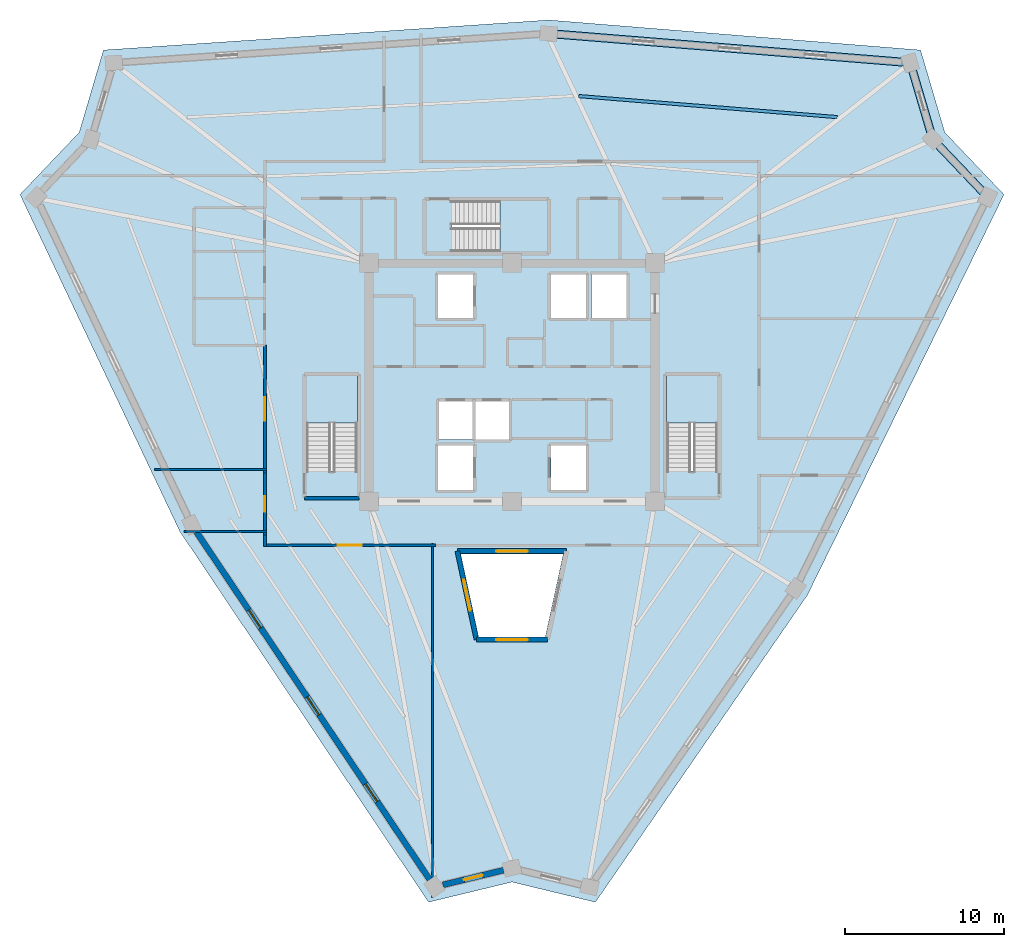
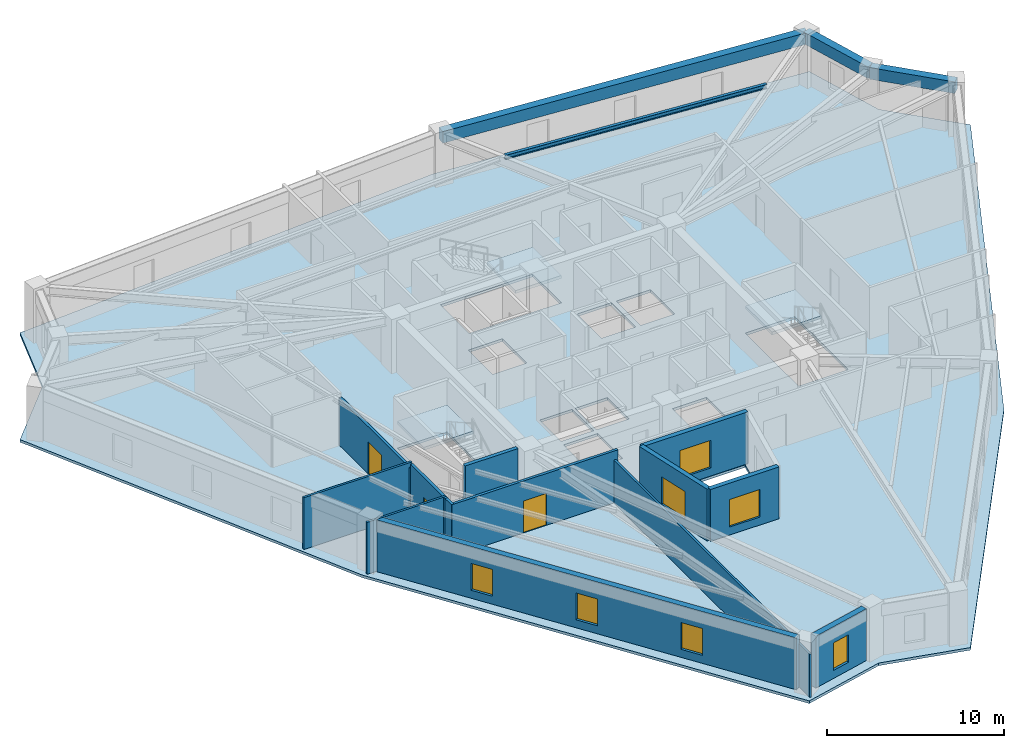
# One storey, part 2 of 8: 13 walls, 7 windows, 4 beams, 4 slabs, 3 doors, 10 openings, 3 elements without a shape of their own.
"""IFC4 building model written with IfcOpenShell, lengths in metres."""

from ifc_helpers import new_model, si_unit, direction, frame, frame_2d, origin, origin_2d, place, context, subcontext, project, spatial, polyline, rectangle, i_section, outline, extrude, source, transform, mapped, material, layer, layer_set, material_profile, profile_set, type_object, element, fill, aggregate, save


model = new_model("IFC4")

# Units and contexts
model_context = context("Model", 3, precision=1e-05, world=origin(), true_north=direction((0.0, 1.0)))
body_context = subcontext(model_context, "Body", "Model", "MODEL_VIEW")
ifc_project = project(units=[si_unit("LENGTHUNIT", "METRE"), si_unit("AREAUNIT", "SQUARE_METRE"), si_unit("VOLUMEUNIT", "CUBIC_METRE"), si_unit("PLANEANGLEUNIT", "RADIAN"), si_unit("MASSUNIT", "GRAM", prefix="KILO")], contexts=[model_context])

# Site, building, storey
site_placement = place(None, origin())
site = spatial("IfcSite", under=ifc_project, at=site_placement, CompositionType="ELEMENT")
building_placement = place(site_placement, origin())
building = spatial("IfcBuilding", under=site, at=building_placement, Name="Liaohun Quay Tower", CompositionType="ELEMENT")
storey_placement = place(building_placement, frame((0.0, 0.0, 316.5)))
storey = spatial("IfcBuildingStorey", under=building, at=storey_placement, Name="L82", CompositionType="ELEMENT", Elevation=316.5)

# Beams
ifc_material_1 = material(Name="Precast concrete C50", Category="concrete")
ifc_material_profile_1 = material_profile(ifc_material_1, rectangle(XDim=0.5, YDim=0.800048828125, at=origin_2d()), Name="RC500x800")
ifc_profile_set_1 = profile_set([ifc_material_profile_1], Name="Precast concrete C50")
beam_type_1 = type_object("IfcBeamType", Name="BM-SPD-Z4", PredefinedType="SPANDREL", material=ifc_profile_set_1)
shared_shape_1 = source(origin(), body_context, "Body", "SweptSolid", [
    extrude(rectangle(XDim=0.5, YDim=0.800048828125, at=origin_2d()), origin(), (0.0, 0.0, 1.0), 22.838134765625),
])
beam_1_placement = place(storey_placement, frame((62.30908203125, 75.9560546875, 3.169921875), z_axis=(0.996752326166, -0.080528257666, 0.0), x_axis=(0.080528257666, 0.996752326166, 0.0)))
element("IfcBeam", 1, at=beam_1_placement, inside=storey, type_object=beam_type_1, Name="L82 Precast Spandrel Beam PC06-PC07", PredefinedType="SPANDREL", context=body_context, shape_type="MappedRepresentation", body=[
    mapped(shared_shape_1, transform((0.0, 0.0, 0.0), x_axis=(1.0, 0.0, 0.0), y_axis=(0.0, 1.0, 0.0), z_axis=(0.0, 0.0, 1.0), scale=1.0)),
])
shared_shape_2 = source(origin(), body_context, "Body", "SweptSolid", [
    extrude(rectangle(XDim=0.5, YDim=0.800048828125, at=origin_2d()), origin(), (0.0, 0.0, 1.0), 5.02587890625),
])
beam_2_placement = place(storey_placement, frame((85.072998046875, 74.116943359375, 3.169921875), z_axis=(0.282526612838, -0.95925946075, 0.0), x_axis=(0.95925946075, 0.282526612838, 0.0)))
element("IfcBeam", 2, at=beam_2_placement, inside=storey, type_object=beam_type_1, Name="L82 Precast Spandrel Beam PC07-PC08", PredefinedType="SPANDREL", context=body_context, shape_type="MappedRepresentation", body=[
    mapped(shared_shape_2, transform((0.0, 0.0, 0.0), x_axis=(1.0, 0.0, 0.0), y_axis=(0.0, 1.0, 0.0), z_axis=(0.0, 0.0, 1.0), scale=1.0)),
])
shared_shape_3 = source(origin(), body_context, "Body", "SweptSolid", [
    extrude(rectangle(XDim=0.5, YDim=0.800048828125, at=origin_2d()), origin(), (0.0, 0.0, 1.0), 5.017822265625),
])
beam_3_placement = place(storey_placement, frame((86.492919921875, 69.2958984375, 3.169921875), z_axis=(0.689348946572, -0.724429451265, 0.0), x_axis=(0.724429451265, 0.689348946572, 0.0)))
element("IfcBeam", 3, at=beam_3_placement, inside=storey, type_object=beam_type_1, Name="L82 Precast Spandrel Beam PC08-PC09", PredefinedType="SPANDREL", context=body_context, shape_type="MappedRepresentation", body=[
    mapped(shared_shape_3, transform((0.0, 0.0, 0.0), x_axis=(1.0, 0.0, 0.0), y_axis=(0.0, 1.0, 0.0), z_axis=(0.0, 0.0, 1.0), scale=1.0)),
])
ifc_material_2 = material(Name="Steel Q355D", Category="steel")
ifc_material_profile_2 = material_profile(ifc_material_2, i_section(OverallWidth=0.199951171875, OverallDepth=0.2939453125, WebThickness=0.008056640625, FlangeThickness=0.011962890625, at=origin_2d()), Name="HM294x200x8x12")
ifc_profile_set_2 = profile_set([ifc_material_profile_2], Name="Steel Q355D")
beam_type_2 = type_object("IfcBeamType", Name="BM-SEC-J4", PredefinedType="JOIST", material=ifc_profile_set_2)
shared_shape_4 = source(origin(), body_context, "Body", "SweptSolid", [
    extrude(i_section(OverallWidth=0.199951171875, OverallDepth=0.2939453125, WebThickness=0.008056640625, FlangeThickness=0.011962890625, at=origin_2d()), origin(), (0.0, 0.0, 1.0), 16.3271484375),
])
beam_4_placement = place(storey_placement, frame((64.202880859375, 72.01904296875, 3.423095703125), z_axis=(0.996697002247, -0.081210133061, 0.0), x_axis=(0.081210133061, 0.996697002247, 0.0)))
element("IfcBeam", 4, at=beam_4_placement, inside=storey, type_object=beam_type_2, Name="L82 Wing Secondary Floor Joist SJ-09", PredefinedType="JOIST", context=body_context, shape_type="MappedRepresentation", body=[
    mapped(shared_shape_4, transform((0.0, 0.0, 0.0), x_axis=(1.0, 0.0, 0.0), y_axis=(0.0, 1.0, 0.0), z_axis=(0.0, 0.0, 1.0), scale=1.0)),
])

# Stair, slab
ifc_material_3 = material(Name="Concrete C45", Category="concrete")
stair_type = type_object("IfcStairType", Name="STR-CORE-OFF", PredefinedType="HALF_TURN_STAIR", material=ifc_material_3)
stair_1_placement = place(storey_placement, origin())
stair_1 = element("IfcStair", 5, at=stair_1_placement, inside=storey, type_object=stair_type, Name="L82 Smokeproof Core Exit Stair ST-1", PredefinedType="HALF_TURN_STAIR")
ifc_layer_1 = layer(ifc_material_3, 0.199951171875, Name="Concrete C45", Category="concrete")
ifc_layer_set_1 = layer_set([ifc_layer_1], Name="Concrete C45")
slab_type_1 = type_object("IfcSlabType", Name="SLB-LND-200", PredefinedType="LANDING", material=ifc_layer_set_1)
slab_1_placement = place(storey_placement, frame((0.0, 0.0, 1.675048828125)))
slab_1 = element("IfcSlab", 6, at=slab_1_placement, type_object=slab_type_1, Name="ST-1 landing 1", PredefinedType="LANDING", context=body_context, shape_type="SweptSolid", body=[
    extrude(outline(polyline([(50.280029296875, 51.429931640625), (50.280029296875, 54.419921875), (47.0400390625, 54.419921875), (47.0400390625, 51.429931640625), (50.280029296875, 51.429931640625)])), origin(), (0.0, 0.0, 1.0), 0.199951171875),
])
aggregate(stair_1, [slab_1])

stair_2_placement = place(storey_placement, origin())
stair_2 = element("IfcStair", 7, at=stair_2_placement, inside=storey, type_object=stair_type, Name="L82 Smokeproof Core Exit Stair ST-2", PredefinedType="HALF_TURN_STAIR")
slab_2_placement = place(storey_placement, frame((0.0, 0.0, 1.675048828125)))
slab_2 = element("IfcSlab", 8, at=slab_2_placement, type_object=slab_type_1, Name="ST-2 landing 1", PredefinedType="LANDING", context=body_context, shape_type="SweptSolid", body=[
    extrude(outline(polyline([(72.9599609375, 51.429931640625), (72.9599609375, 54.419921875), (69.719970703125, 54.419921875), (69.719970703125, 51.429931640625), (72.9599609375, 51.429931640625)])), origin(), (0.0, 0.0, 1.0), 0.199951171875),
])
aggregate(stair_2, [slab_2])

stair_3_placement = place(storey_placement, origin())
stair_3 = element("IfcStair", 9, at=stair_3_placement, inside=storey, type_object=stair_type, Name="L82 Smokeproof Core Exit Stair ST-3", PredefinedType="HALF_TURN_STAIR")
slab_3_placement = place(storey_placement, frame((0.0, 0.0, 1.675048828125)))
slab_3 = element("IfcSlab", 10, at=slab_3_placement, type_object=slab_type_1, Name="ST-3 landing 1", PredefinedType="LANDING", context=body_context, shape_type="SweptSolid", body=[
    extrude(outline(polyline([(59.22998046875, 62.199951171875), (62.219970703125, 62.199951171875), (62.219970703125, 65.43994140625), (59.22998046875, 65.43994140625), (59.22998046875, 62.199951171875)])), origin(), (0.0, 0.0, 1.0), 0.199951171875),
])
aggregate(stair_3, [slab_3])

# Slab
ifc_layer_2 = layer(ifc_material_3, 0.179931640625, Name="Concrete C45", Category="concrete")
ifc_layer_set_2 = layer_set([ifc_layer_2], Name="Concrete C45")
slab_type_2 = type_object("IfcSlabType", Name="SLB-OFF-180", PredefinedType="FLOOR", material=ifc_layer_set_2)
slab_4_placement = place(storey_placement, frame((0.0, 0.0, -0.179931640625)))
element("IfcSlab", 11, at=slab_4_placement, inside=storey, type_object=slab_type_2, Name="L82 Structural Floor Slab", PredefinedType="FLOOR", context=body_context, shape_type="SweptSolid", body=[
    extrude(outline(polyline([(54.7470703125, 21.264892578125), (60.0, 22.533935546875), (65.2529296875, 21.264892578125), (78.594970703125, 40.591064453125), (90.97607421875, 65.818115234375), (87.25, 69.73291015625), (85.722900390625, 74.9169921875), (62.31494140625, 76.80810546875), (34.277099609375, 74.9169921875), (32.75, 69.73291015625), (29.02392578125, 65.818115234375), (39.090087890625, 44.60107421875), (54.7470703125, 21.264892578125)]), holes=[polyline([(57.56005859375, 50.030029296875), (55.340087890625, 50.030029296875), (55.340087890625, 47.2099609375), (57.56005859375, 47.2099609375), (57.56005859375, 50.030029296875)]), polyline([(47.0400390625, 54.419921875), (47.0400390625, 48.409912109375), (50.280029296875, 48.409912109375), (50.280029296875, 54.419921875), (47.0400390625, 54.419921875)]), polyline([(57.510009765625, 52.81005859375), (55.389892578125, 52.81005859375), (55.389892578125, 50.389892578125), (57.510009765625, 50.389892578125), (57.510009765625, 52.81005859375)]), polyline([(59.81005859375, 50.389892578125), (59.81005859375, 52.81005859375), (57.68994140625, 52.81005859375), (57.68994140625, 50.389892578125), (59.81005859375, 50.389892578125)]), polyline([(57.56005859375, 58.0400390625), (57.56005859375, 60.7900390625), (55.340087890625, 60.7900390625), (55.340087890625, 58.0400390625), (57.56005859375, 58.0400390625)]), polyline([(62.219970703125, 65.43994140625), (56.2099609375, 65.43994140625), (56.2099609375, 62.199951171875), (62.219970703125, 62.199951171875), (62.219970703125, 65.43994140625)]), polyline([(62.09912109375, 37.970947265625), (63.22998046875, 43.199951171875), (56.77001953125, 43.199951171875), (57.90087890625, 37.970947265625), (62.09912109375, 37.970947265625)]), polyline([(64.659912109375, 47.2099609375), (64.659912109375, 50.030029296875), (62.43994140625, 50.030029296875), (62.43994140625, 47.2099609375), (64.659912109375, 47.2099609375)]), polyline([(69.719970703125, 54.419921875), (69.719970703125, 48.409912109375), (72.9599609375, 48.409912109375), (72.9599609375, 54.419921875), (69.719970703125, 54.419921875)]), polyline([(64.659912109375, 58.0400390625), (64.659912109375, 60.7900390625), (62.43994140625, 60.7900390625), (62.43994140625, 58.0400390625), (64.659912109375, 58.0400390625)]), polyline([(67.2099609375, 58.0400390625), (67.2099609375, 60.7900390625), (64.989990234375, 60.7900390625), (64.989990234375, 58.0400390625), (67.2099609375, 58.0400390625)])]), origin(), (0.0, 0.0, 1.0), 0.179931640625),
])

# Wall, opening, window
ifc_material_4 = material(Name="Concrete C50", Category="concrete")
ifc_layer_3 = layer(ifc_material_4, 0.300048828125, Name="Concrete C50", Category="concrete")
ifc_layer_set_3 = layer_set([ifc_layer_3], Name="Concrete C50")
wall_type_1 = type_object("IfcWallType", Name="WAL-ATR-300", PredefinedType="SOLIDWALL", material=ifc_layer_set_3)
wall_1_placement = place(storey_placement, frame((57.763916015625, 37.801025390625, 0.0), z_axis=(0.0, 0.0, 1.0), x_axis=(-0.21145116659, 0.977388563545, 0.0)))
wall_1 = element("IfcWall", 12, at=wall_1_placement, inside=storey, type_object=wall_type_1, Name="L82 Atrium Fire Compartment Wall 1", PredefinedType="SOLIDWALL", context=body_context, shape_type="SweptSolid", body=[
    extrude(rectangle(XDim=5.697998046875, YDim=0.300048828125, at=frame_2d((2.84912109375, 0.0))), origin(), (0.0, 0.0, 1.0), 3.570068359375),
])
shared_shape_5 = source(origin(), body_context, "Body", "SweptSolid", [
    extrude(rectangle(XDim=2.0, YDim=1.89990234375, at=frame_2d((1.0, 0.949951171875))), frame((0.0, 0.159912109375, 0.0), z_axis=(0.0, -1.0, 0.0), x_axis=(1.0, 0.0, 0.0)), (0.0, 0.0, 1.0), 0.320068359375),
])
opening_1_placement = place(wall_1_placement, frame((1.84912109375, 0.0, 0.550048828125)))
opening_1 = element("IfcOpeningElement", 13, at=opening_1_placement, cuts=wall_1, Name="Opening W07", PredefinedType="OPENING", context=body_context, shape_type="MappedRepresentation", body=[
    mapped(shared_shape_5, transform((0.0, 0.0, 0.0), x_axis=(1.0, 0.0, 0.0), y_axis=(0.0, 1.0, 0.0), z_axis=(0.0, 0.0, 1.0), scale=1.0)),
])
ifc_material_5 = material(Name="Class A 180-min fire-resistant insulated glazing", Category="glass")
window_type_1 = type_object("IfcWindowType", Name="WIN-ATR-FIR", PartitioningType="DOUBLE_PANEL_VERTICAL", PredefinedType="WINDOW", material=ifc_material_5)
shared_shape_6 = source(origin(), body_context, "Body", "SweptSolid", [
    extrude(rectangle(XDim=2.0, YDim=1.89990234375, at=frame_2d((1.0, 0.949951171875))), frame((0.0, 0.030029296875, 0.0), z_axis=(0.0, -1.0, 0.0), x_axis=(1.0, 0.0, 0.0)), (0.0, 0.0, 1.0), 0.06005859375),
])
window_1_placement = place(opening_1_placement, origin())
window_1 = element("IfcWindow", 14, at=window_1_placement, inside=storey, type_object=window_type_1, Name="L82 Atrium Fire-Resistant Glazing W07-1", OverallHeight=1.89990234375, OverallWidth=2.0, PartitioningType="DOUBLE_PANEL_VERTICAL", PredefinedType="WINDOW", context=body_context, shape_type="MappedRepresentation", body=[
    mapped(shared_shape_6, transform((0.0, 0.0, 0.0), x_axis=(1.0, 0.0, 0.0), y_axis=(0.0, 1.0, 0.0), z_axis=(0.0, 0.0, 1.0), scale=1.0)),
])
fill(opening_1, window_1)

wall_2_placement = place(storey_placement, frame((56.55908203125, 43.3701171875, 0.0), z_axis=(0.0, 0.0, 1.0), x_axis=(1.0, 0.0, 0.0)))
wall_2 = element("IfcWall", 15, at=wall_2_placement, inside=storey, type_object=wall_type_1, Name="L82 Atrium Fire Compartment Wall 2", PredefinedType="SOLIDWALL", context=body_context, shape_type="SweptSolid", body=[
    extrude(rectangle(XDim=6.8818359375, YDim=0.300048828125, at=frame_2d((3.44091796875, 0.0))), origin(), (0.0, 0.0, 1.0), 3.570068359375),
])
opening_2_placement = place(wall_2_placement, frame((2.44091796875, 0.0, 0.550048828125)))
opening_2 = element("IfcOpeningElement", 16, at=opening_2_placement, cuts=wall_2, Name="Opening W07", PredefinedType="OPENING", context=body_context, shape_type="MappedRepresentation", body=[
    mapped(shared_shape_5, transform((0.0, 0.0, 0.0), x_axis=(1.0, 0.0, 0.0), y_axis=(0.0, 1.0, 0.0), z_axis=(0.0, 0.0, 1.0), scale=1.0)),
])
window_2_placement = place(opening_2_placement, origin())
window_2 = element("IfcWindow", 17, at=window_2_placement, inside=storey, type_object=window_type_1, Name="L82 Atrium Fire-Resistant Glazing W07-2", OverallHeight=1.89990234375, OverallWidth=2.0, PartitioningType="DOUBLE_PANEL_VERTICAL", PredefinedType="WINDOW", context=body_context, shape_type="MappedRepresentation", body=[
    mapped(shared_shape_6, transform((0.0, 0.0, 0.0), x_axis=(1.0, 0.0, 0.0), y_axis=(0.0, 1.0, 0.0), z_axis=(0.0, 0.0, 1.0), scale=1.0)),
])
fill(opening_2, window_2)

wall_3_placement = place(storey_placement, frame((62.236083984375, 37.801025390625, 0.0), z_axis=(0.0, 0.0, 1.0), x_axis=(-1.0, 0.0, 0.0)))
wall_3 = element("IfcWall", 18, at=wall_3_placement, inside=storey, type_object=wall_type_1, Name="L82 Atrium Fire Compartment Wall 4", PredefinedType="SOLIDWALL", context=body_context, shape_type="SweptSolid", body=[
    extrude(rectangle(XDim=4.47216796875, YDim=0.300048828125, at=frame_2d((2.236083984375, 0.0))), origin(), (0.0, 0.0, 1.0), 3.570068359375),
])
opening_3_placement = place(wall_3_placement, frame((1.236083984375, 0.0, 0.550048828125)))
opening_3 = element("IfcOpeningElement", 19, at=opening_3_placement, cuts=wall_3, Name="Opening W07", PredefinedType="OPENING", context=body_context, shape_type="MappedRepresentation", body=[
    mapped(shared_shape_5, transform((0.0, 0.0, 0.0), x_axis=(1.0, 0.0, 0.0), y_axis=(0.0, 1.0, 0.0), z_axis=(0.0, 0.0, 1.0), scale=1.0)),
])
window_3_placement = place(opening_3_placement, origin())
window_3 = element("IfcWindow", 20, at=window_3_placement, inside=storey, type_object=window_type_1, Name="L82 Atrium Fire-Resistant Glazing W07-4", OverallHeight=1.89990234375, OverallWidth=2.0, PartitioningType="DOUBLE_PANEL_VERTICAL", PredefinedType="WINDOW", context=body_context, shape_type="MappedRepresentation", body=[
    mapped(shared_shape_6, transform((0.0, 0.0, 0.0), x_axis=(1.0, 0.0, 0.0), y_axis=(0.0, 1.0, 0.0), z_axis=(0.0, 0.0, 1.0), scale=1.0)),
])
fill(opening_3, window_3)

# Wall, openings, windows
ifc_material_6 = material(Name="Precast concrete C50 insulated sandwich", Category="concrete")
ifc_layer_4 = layer(ifc_material_6, 0.3798828125, Name="Precast concrete C50 insulated sandwich", Category="concrete")
ifc_layer_set_4 = layer_set([ifc_layer_4], Name="Precast concrete C50 insulated sandwich")
wall_type_2 = type_object("IfcWallType", Name="WAL-EXT-Z34", PredefinedType="SOLIDWALL", material=ifc_layer_set_4)
wall_4_placement = place(storey_placement, frame((40.132080078125, 44.573974609375, 0.0), z_axis=(0.0, 0.0, 1.0), x_axis=(0.557129450607, -0.830425659085, 0.0)))
wall_4 = element("IfcWall", 21, at=wall_4_placement, inside=storey, type_object=wall_type_2, Name="L82 Brutalist Precast Pier Wall 11", PredefinedType="SOLIDWALL", context=body_context, shape_type="SweptSolid", body=[
    extrude(rectangle(XDim=26.3671875, YDim=0.3798828125, at=frame_2d((13.18359375, 0.0))), origin(), (0.0, 0.0, 1.0), 3.570068359375),
])
shared_shape_7 = source(origin(), body_context, "Body", "SweptSolid", [
    extrude(rectangle(XDim=1.35009765625, YDim=1.85009765625, at=frame_2d((0.675048828125, 0.925048828125))), frame((0.0, 0.199951171875, 0.0), z_axis=(0.0, -1.0, 0.0), x_axis=(1.0, 0.0, 0.0)), (0.0, 0.0, 1.0), 0.39990234375),
])
opening_4_placement = place(wall_4_placement, frame((5.9169921875, 0.0, 0.550048828125)))
opening_4 = element("IfcOpeningElement", 22, at=opening_4_placement, cuts=wall_4, Name="Opening W04", PredefinedType="OPENING", context=body_context, shape_type="MappedRepresentation", body=[
    mapped(shared_shape_7, transform((0.0, 0.0, 0.0), x_axis=(1.0, 0.0, 0.0), y_axis=(0.0, 1.0, 0.0), z_axis=(0.0, 0.0, 1.0), scale=1.0)),
])
opening_5_placement = place(wall_4_placement, frame((12.509033203125, 0.0, 0.550048828125)))
opening_5 = element("IfcOpeningElement", 23, at=opening_5_placement, cuts=wall_4, Name="Opening W04", PredefinedType="OPENING", context=body_context, shape_type="MappedRepresentation", body=[
    mapped(shared_shape_7, transform((0.0, 0.0, 0.0), x_axis=(1.0, 0.0, 0.0), y_axis=(0.0, 1.0, 0.0), z_axis=(0.0, 0.0, 1.0), scale=1.0)),
])
opening_6_placement = place(wall_4_placement, frame((19.10009765625, 0.0, 0.550048828125)))
opening_6 = element("IfcOpeningElement", 24, at=opening_6_placement, cuts=wall_4, Name="Opening W04", PredefinedType="OPENING", context=body_context, shape_type="MappedRepresentation", body=[
    mapped(shared_shape_7, transform((0.0, 0.0, 0.0), x_axis=(1.0, 0.0, 0.0), y_axis=(0.0, 1.0, 0.0), z_axis=(0.0, 0.0, 1.0), scale=1.0)),
])
ifc_material_7 = material(Name="Triple Low-E argon glazing in thermally broken aluminium", Category="aluminium")
window_type_2 = type_object("IfcWindowType", Name="WIN-PUN-Z4", PartitioningType="SINGLE_PANEL", PredefinedType="WINDOW", material=ifc_material_7)
shared_shape_8 = source(origin(), body_context, "Body", "SweptSolid", [
    extrude(rectangle(XDim=1.35009765625, YDim=1.85009765625, at=frame_2d((0.675048828125, 0.925048828125))), frame((0.0, 0.030029296875, 0.0), z_axis=(0.0, -1.0, 0.0), x_axis=(1.0, 0.0, 0.0)), (0.0, 0.0, 1.0), 0.06005859375),
])
window_4_placement = place(opening_4_placement, origin())
window_4 = element("IfcWindow", 25, at=window_4_placement, inside=storey, type_object=window_type_2, Name="L82 Recessed Cold-Climate Punched Window 11-1", OverallHeight=1.85009765625, OverallWidth=1.35009765625, PartitioningType="SINGLE_PANEL", PredefinedType="WINDOW", context=body_context, shape_type="MappedRepresentation", body=[
    mapped(shared_shape_8, transform((0.0, 0.0, 0.0), x_axis=(1.0, 0.0, 0.0), y_axis=(0.0, 1.0, 0.0), z_axis=(0.0, 0.0, 1.0), scale=1.0)),
])
fill(opening_4, window_4)
window_5_placement = place(opening_5_placement, origin())
window_5 = element("IfcWindow", 26, at=window_5_placement, inside=storey, type_object=window_type_2, Name="L82 Recessed Cold-Climate Punched Window 11-2", OverallHeight=1.85009765625, OverallWidth=1.35009765625, PartitioningType="SINGLE_PANEL", PredefinedType="WINDOW", context=body_context, shape_type="MappedRepresentation", body=[
    mapped(shared_shape_8, transform((0.0, 0.0, 0.0), x_axis=(1.0, 0.0, 0.0), y_axis=(0.0, 1.0, 0.0), z_axis=(0.0, 0.0, 1.0), scale=1.0)),
])
fill(opening_5, window_5)
window_6_placement = place(opening_6_placement, origin())
window_6 = element("IfcWindow", 27, at=window_6_placement, inside=storey, type_object=window_type_2, Name="L82 Recessed Cold-Climate Punched Window 11-3", OverallHeight=1.85009765625, OverallWidth=1.35009765625, PartitioningType="SINGLE_PANEL", PredefinedType="WINDOW", context=body_context, shape_type="MappedRepresentation", body=[
    mapped(shared_shape_8, transform((0.0, 0.0, 0.0), x_axis=(1.0, 0.0, 0.0), y_axis=(0.0, 1.0, 0.0), z_axis=(0.0, 0.0, 1.0), scale=1.0)),
])
fill(opening_6, window_6)

# Wall, opening, window
wall_5_placement = place(storey_placement, frame((55.64794921875, 22.35693359375, 0.0), z_axis=(0.0, 0.0, 1.0), x_axis=(0.9720661116, 0.234707210539, 0.0)))
wall_5 = element("IfcWall", 28, at=wall_5_placement, inside=storey, type_object=wall_type_2, Name="L82 Brutalist Precast Pier Wall 12", PredefinedType="SOLIDWALL", context=body_context, shape_type="SweptSolid", body=[
    extrude(rectangle(XDim=3.93701171875, YDim=0.3798828125, at=frame_2d((1.968505859375, 0.0))), origin(), (0.0, 0.0, 1.0), 3.570068359375),
])
shared_shape_9 = source(origin(), body_context, "Body", "SweptSolid", [
    extrude(rectangle(XDim=1.199951171875, YDim=1.89990234375, at=frame_2d((0.60009765625, 0.949951171875))), frame((0.0, 0.199951171875, 0.0), z_axis=(0.0, -1.0, 0.0), x_axis=(1.0, 0.0, 0.0)), (0.0, 0.0, 1.0), 0.39990234375),
])
opening_7_placement = place(wall_5_placement, frame((1.367919921875, 0.0, 0.550048828125)))
opening_7 = element("IfcOpeningElement", 29, at=opening_7_placement, cuts=wall_5, Name="Opening W05", PredefinedType="OPENING", context=body_context, shape_type="MappedRepresentation", body=[
    mapped(shared_shape_9, transform((0.0, 0.0, 0.0), x_axis=(1.0, 0.0, 0.0), y_axis=(0.0, 1.0, 0.0), z_axis=(0.0, 0.0, 1.0), scale=1.0)),
])
ifc_material_8 = material(Name="Triple Low-E corner notch glazing", Category="glass")
window_type_3 = type_object("IfcWindowType", Name="WIN-NOTCH", PartitioningType="SINGLE_PANEL", PredefinedType="WINDOW", material=ifc_material_8)
shared_shape_10 = source(origin(), body_context, "Body", "SweptSolid", [
    extrude(rectangle(XDim=1.199951171875, YDim=1.89990234375, at=frame_2d((0.60009765625, 0.949951171875))), frame((0.0, 0.030029296875, 0.0), z_axis=(0.0, -1.0, 0.0), x_axis=(1.0, 0.0, 0.0)), (0.0, 0.0, 1.0), 0.06005859375),
])
window_7_placement = place(opening_7_placement, origin())
window_7 = element("IfcWindow", 30, at=window_7_placement, inside=storey, type_object=window_type_3, Name="L82 Corner Notch Window W05-12", OverallHeight=1.89990234375, OverallWidth=1.199951171875, PartitioningType="SINGLE_PANEL", PredefinedType="WINDOW", context=body_context, shape_type="MappedRepresentation", body=[
    mapped(shared_shape_10, transform((0.0, 0.0, 0.0), x_axis=(1.0, 0.0, 0.0), y_axis=(0.0, 1.0, 0.0), z_axis=(0.0, 0.0, 1.0), scale=1.0)),
])
fill(opening_7, window_7)

# Wall, opening, door
ifc_material_9 = material(Name="Autoclaved aerated concrete blockwork", Category="masonry")
ifc_layer_5 = layer(ifc_material_9, 0.179931640625, Name="Autoclaved aerated concrete blockwork", Category="masonry")
ifc_layer_set_5 = layer_set([ifc_layer_5], Name="Autoclaved aerated concrete blockwork")
wall_type_3 = type_object("IfcWallType", Name="WAL-PRT-COR", PredefinedType="PARTITIONING", material=ifc_layer_set_5)
wall_6_placement = place(storey_placement, frame((44.43994140625, 48.284912109375, 0.0), z_axis=(0.0, 0.0, 1.0), x_axis=(0.0, 1.0, 0.0)))
wall_6 = element("IfcWall", 31, at=wall_6_placement, inside=storey, type_object=wall_type_3, Name="L82 Interior Partition Wall 019", PredefinedType="PARTITIONING", context=body_context, shape_type="SweptSolid", body=[
    extrude(rectangle(XDim=8.05517578125, YDim=0.179931640625, at=frame_2d((4.027587890625, 0.0))), origin(), (0.0, 0.0, 1.0), 3.260986328125),
])
shared_shape_11 = source(origin(), body_context, "Body", "SweptSolid", [
    extrude(rectangle(XDim=1.5, YDim=2.199951171875, at=frame_2d((0.75, 1.10009765625))), frame((0.0, 0.099853515625, 0.0), z_axis=(0.0, -1.0, 0.0), x_axis=(1.0, 0.0, 0.0)), (0.0, 0.0, 1.0), 0.199951171875),
])
opening_8_placement = place(wall_6_placement, frame((3.278076171875, 0.0, 0.0)))
opening_8 = element("IfcOpeningElement", 32, at=opening_8_placement, cuts=wall_6, Name="Opening OD2", PredefinedType="OPENING", context=body_context, shape_type="MappedRepresentation", body=[
    mapped(shared_shape_11, transform((0.0, 0.0, 0.0), x_axis=(1.0, 0.0, 0.0), y_axis=(0.0, 1.0, 0.0), z_axis=(0.0, 0.0, 1.0), scale=1.0)),
])
ifc_material_10 = material(Name="Acoustic oak veneer double door")
door_type_1 = type_object("IfcDoorType", Name="DOR-OFF-1500", OperationType="DOUBLE_DOOR_SINGLE_SWING", PredefinedType="DOOR", material=ifc_material_10)
shared_shape_12 = source(origin(), body_context, "Body", "SweptSolid", [
    extrude(rectangle(XDim=1.5, YDim=2.199951171875, at=frame_2d((0.75, 1.10009765625))), frame((0.0, 0.02490234375, 0.0), z_axis=(0.0, -1.0, 0.0), x_axis=(1.0, 0.0, 0.0)), (0.0, 0.0, 1.0), 0.050048828125),
])
door_1_placement = place(opening_8_placement, origin())
door_1 = element("IfcDoor", 33, at=door_1_placement, inside=storey, type_object=door_type_1, Name="L82 Corporate Exhibition Gallery 05 Door", OperationType="DOUBLE_DOOR_SINGLE_SWING", OverallHeight=2.199951171875, OverallWidth=1.5, PredefinedType="DOOR", context=body_context, shape_type="MappedRepresentation", body=[
    mapped(shared_shape_12, transform((0.0, 0.0, 0.0), x_axis=(1.0, 0.0, 0.0), y_axis=(0.0, 1.0, 0.0), z_axis=(0.0, 0.0, 1.0), scale=1.0)),
])
fill(opening_8, door_1)

wall_7_placement = place(storey_placement, frame((44.43994140625, 44.385009765625, 0.0), z_axis=(0.0, 0.0, 1.0), x_axis=(0.0, 1.0, 0.0)))
wall_7 = element("IfcWall", 34, at=wall_7_placement, inside=storey, type_object=wall_type_3, Name="L82 Interior Partition Wall 020", PredefinedType="PARTITIONING", context=body_context, shape_type="SweptSolid", body=[
    extrude(rectangle(XDim=3.89990234375, YDim=0.179931640625, at=frame_2d((1.949951171875, 0.0))), origin(), (0.0, 0.0, 1.0), 3.570068359375),
])
shared_shape_13 = source(origin(), body_context, "Body", "SweptSolid", [
    extrude(rectangle(XDim=1.0, YDim=2.199951171875, at=frame_2d((0.5, 1.10009765625))), frame((0.0, 0.099853515625, 0.0), z_axis=(0.0, -1.0, 0.0), x_axis=(1.0, 0.0, 0.0)), (0.0, 0.0, 1.0), 0.199951171875),
])
opening_9_placement = place(wall_7_placement, frame((1.449951171875, 0.0, 0.0)))
opening_9 = element("IfcOpeningElement", 35, at=opening_9_placement, cuts=wall_7, Name="Opening OD1", PredefinedType="OPENING", context=body_context, shape_type="MappedRepresentation", body=[
    mapped(shared_shape_13, transform((0.0, 0.0, 0.0), x_axis=(1.0, 0.0, 0.0), y_axis=(0.0, 1.0, 0.0), z_axis=(0.0, 0.0, 1.0), scale=1.0)),
])
ifc_material_11 = material(Name="Solid-core oak veneer timber leaf in steel frame", Category="steel")
door_type_2 = type_object("IfcDoorType", Name="DOR-OFF-1000", OperationType="NOTDEFINED", PredefinedType="DOOR", material=ifc_material_11)
shared_shape_14 = source(origin(), body_context, "Body", "SweptSolid", [
    extrude(rectangle(XDim=1.0, YDim=2.199951171875, at=frame_2d((0.5, 1.10009765625))), frame((0.0, 0.02490234375, 0.0), z_axis=(0.0, -1.0, 0.0), x_axis=(1.0, 0.0, 0.0)), (0.0, 0.0, 1.0), 0.050048828125),
])
door_2_placement = place(opening_9_placement, origin())
door_2 = element("IfcDoor", 36, at=door_2_placement, inside=storey, type_object=door_type_2, Name="L82 Staff Tea Kitchen and Pantry 06 Door", OperationType="SINGLE_SWING_RIGHT", OverallHeight=2.199951171875, OverallWidth=1.0, PredefinedType="DOOR", context=body_context, shape_type="MappedRepresentation", body=[
    mapped(shared_shape_14, transform((0.0, 0.0, 0.0), x_axis=(1.0, 0.0, 0.0), y_axis=(0.0, 1.0, 0.0), z_axis=(0.0, 0.0, 1.0), scale=1.0)),
])
fill(opening_9, door_2)

wall_8_placement = place(storey_placement, frame((55.215087890625, 43.739990234375, 0.0), z_axis=(0.0, 0.0, 1.0), x_axis=(-1.0, 0.0, 0.0)))
wall_8 = element("IfcWall", 37, at=wall_8_placement, inside=storey, type_object=wall_type_3, Name="L82 Interior Partition Wall 021", PredefinedType="PARTITIONING", context=body_context, shape_type="SweptSolid", body=[
    extrude(rectangle(XDim=10.844970703125, YDim=0.179931640625, at=frame_2d((5.42236328125, 0.0))), origin(), (0.0, 0.0, 1.0), 3.570068359375),
])
opening_10_placement = place(wall_8_placement, frame((4.673095703125, 0.0, 0.0)))
opening_10 = element("IfcOpeningElement", 38, at=opening_10_placement, cuts=wall_8, Name="Opening OD2", PredefinedType="OPENING", context=body_context, shape_type="MappedRepresentation", body=[
    mapped(shared_shape_11, transform((0.0, 0.0, 0.0), x_axis=(1.0, 0.0, 0.0), y_axis=(0.0, 1.0, 0.0), z_axis=(0.0, 0.0, 1.0), scale=1.0)),
])
door_3_placement = place(opening_10_placement, origin())
door_3 = element("IfcDoor", 39, at=door_3_placement, inside=storey, type_object=door_type_1, Name="L82 Engineering Model Workshop 07 Door", OperationType="DOUBLE_DOOR_SINGLE_SWING", OverallHeight=2.199951171875, OverallWidth=1.5, PredefinedType="DOOR", context=body_context, shape_type="MappedRepresentation", body=[
    mapped(shared_shape_12, transform((0.0, 0.0, 0.0), x_axis=(1.0, 0.0, 0.0), y_axis=(0.0, 1.0, 0.0), z_axis=(0.0, 0.0, 1.0), scale=1.0)),
])
fill(opening_10, door_3)

# Walls
wall_9_placement = place(storey_placement, frame((44.43994140625, 43.669921875, 0.0), z_axis=(0.0, 0.0, 1.0), x_axis=(0.0, 1.0, 0.0)))
element("IfcWall", 40, at=wall_9_placement, inside=storey, type_object=wall_type_3, Name="L82 Interior Partition Wall 047", PredefinedType="PARTITIONING", context=body_context, shape_type="SweptSolid", body=[
    extrude(rectangle(XDim=0.715087890625, YDim=0.179931640625, at=frame_2d((0.357421875, 0.0))), origin(), (0.0, 0.0, 1.0), 3.570068359375),
])
ifc_material_12 = material(Name="Gypsum board on twin steel studs", Category="steel")
ifc_layer_6 = layer(ifc_material_12, 0.139892578125, Name="Gypsum board on twin steel studs", Category="steel")
ifc_layer_set_6 = layer_set([ifc_layer_6], Name="Gypsum board on twin steel studs")
wall_type_4 = type_object("IfcWallType", Name="WAL-PRT-OFF", PredefinedType="PARTITIONING", material=ifc_layer_set_6)
wall_10_placement = place(storey_placement, frame((44.5400390625, 44.60009765625, 0.0), z_axis=(0.0, 0.0, 1.0), x_axis=(-1.0, 0.0, 0.0)))
element("IfcWall", 41, at=wall_10_placement, inside=storey, type_object=wall_type_4, Name="L82 Interior Partition Wall 050", PredefinedType="PARTITIONING", context=body_context, shape_type="SweptSolid", body=[
    extrude(rectangle(XDim=5.18408203125, YDim=0.139892578125, at=frame_2d((2.592041015625, 0.0))), origin(), (0.0, 0.0, 1.0), 3.570068359375),
])
wall_11_placement = place(storey_placement, frame((44.5400390625, 48.5, 0.0), z_axis=(0.0, 0.0, 1.0), x_axis=(-1.0, 0.0, 0.0)))
element("IfcWall", 42, at=wall_11_placement, inside=storey, type_object=wall_type_4, Name="L82 Interior Partition Wall 051", PredefinedType="PARTITIONING", context=body_context, shape_type="SweptSolid", body=[
    extrude(rectangle(XDim=7.05615234375, YDim=0.139892578125, at=frame_2d((3.528076171875, 0.0))), origin(), (0.0, 0.0, 1.0), 3.570068359375),
])
wall_12_placement = place(storey_placement, frame((55.0, 43.840087890625, 0.0), z_axis=(0.0, 0.0, 1.0), x_axis=(0.0, -1.0, 0.0)))
element("IfcWall", 43, at=wall_12_placement, inside=storey, type_object=wall_type_4, Name="L82 Interior Partition Wall 056", PredefinedType="PARTITIONING", context=body_context, shape_type="SweptSolid", body=[
    extrude(rectangle(XDim=22.2880859375, YDim=0.139892578125, at=frame_2d((11.14404296875, 0.0))), origin(), (0.0, 0.0, 1.0), 2.967041015625),
])
ifc_layer_7 = layer(ifc_material_4, 0.239990234375, Name="Concrete C50", Category="concrete")
ifc_layer_set_7 = layer_set([ifc_layer_7], Name="Concrete C50")
wall_type_5 = type_object("IfcWallType", Name="WAL-SHF-200", PredefinedType="SOLIDWALL", material=ifc_layer_set_7)
wall_13_placement = place(storey_placement, frame((46.93994140625, 46.699951171875, 0.0), z_axis=(0.0, 0.0, 1.0), x_axis=(1.0, 0.0, 0.0)))
element("IfcWall", 44, at=wall_13_placement, inside=storey, type_object=wall_type_5, Name="L82 Stairwell ST-1 Structural Core Wall S", PredefinedType="SOLIDWALL", context=body_context, shape_type="SweptSolid", body=[
    extrude(rectangle(XDim=3.43994140625, YDim=0.239990234375, at=frame_2d((1.719970703125, 0.0))), origin(), (0.0, 0.0, 1.0), 3.570068359375),
])

save(model, "model.ifc")
